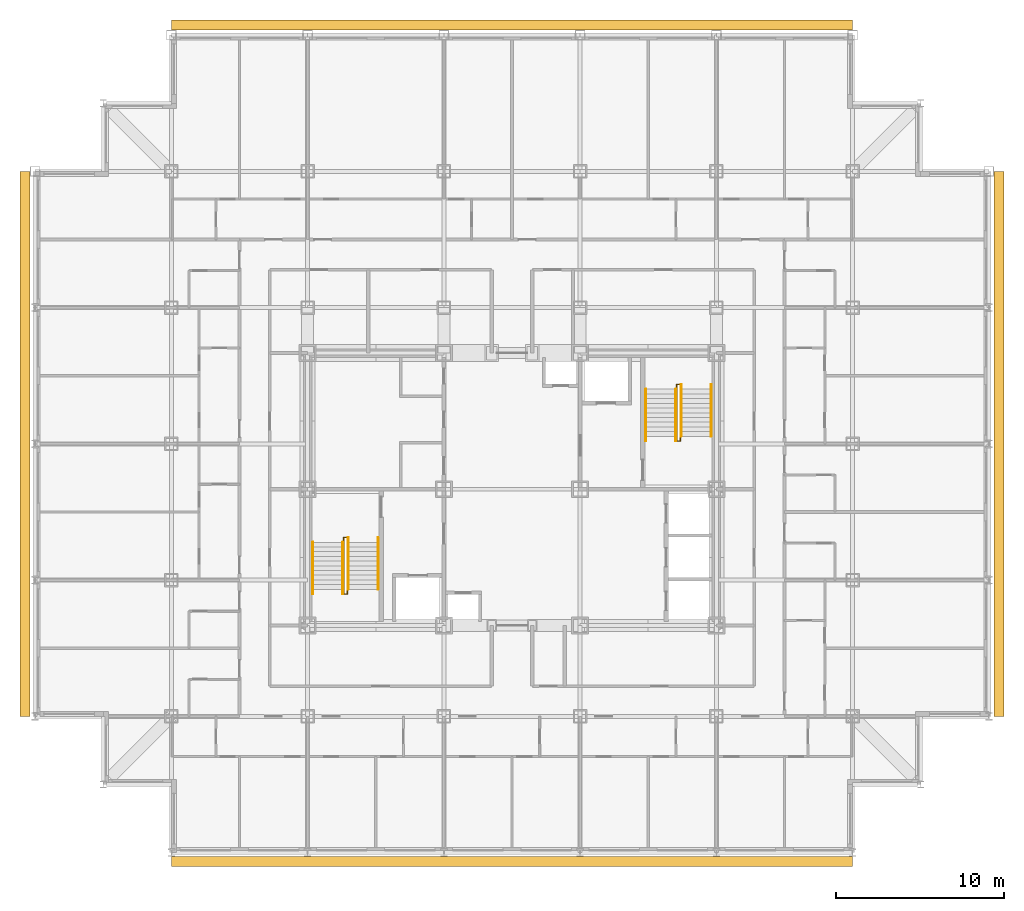
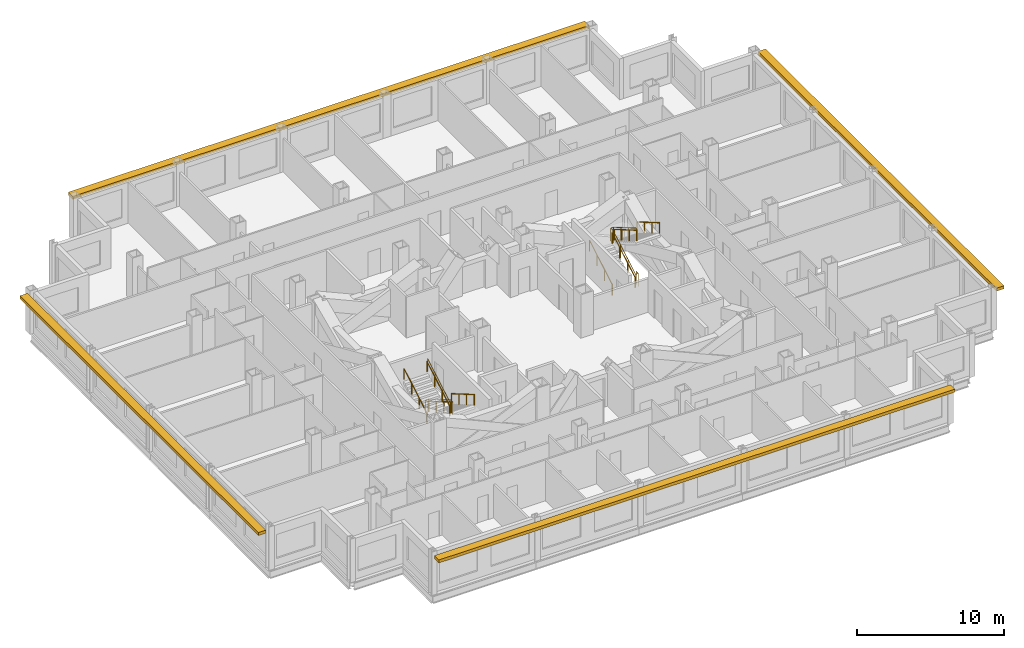
# One storey, part 12 of 12: 10 railings, 4 shading devices.
"""IFC4 building model written with IfcOpenShell, lengths in metres."""

import ifcopenshell
import ifcopenshell.guid

model = None  # the IFC model being written
_history = None  # IfcOwnerHistory: only IFC2X3 demands one
_inside = {}  # id of a spatial element -> (the spatial element, [elements in it])
_under = {}  # id of a project, library or spatial element -> (it, [spatial elements below it])
_declared = {}  # id of a project -> (the project, [libraries it declares])
_typed = {}  # id of a type object -> (the type object, [elements of that type])
_made_of = {}  # id of a material, layer set ... -> (it, [elements and type objects made of it])


def new_model(schema):
    """Start an empty IFC model of exactly this schema.

    Asked for "IFC4X3", IfcOpenShell would pick the latest addendum, in which some entities
    have other attributes; the version numbers below select the first issue.
    IFC2X3 requires an IfcOwnerHistory on every rooted entity: one is made here for all.
    """
    global model, _history
    if schema == "IFC4X3":
        model = ifcopenshell.file(schema_version=(4, 3, 0, 0))
    else:
        model = ifcopenshell.file(schema=schema)
    _inside.clear()
    _under.clear()
    _declared.clear()
    _typed.clear()
    _made_of.clear()
    _history = None
    if model.schema == "IFC2X3":
        org = make("IfcOrganization", Name="unknown")
        user = make(
            "IfcPersonAndOrganization",
            ThePerson=make("IfcPerson", FamilyName="unknown"),
            TheOrganization=org,
        )
        app = make(
            "IfcApplication",
            ApplicationDeveloper=org,
            Version="unknown",
            ApplicationFullName="unknown",
            ApplicationIdentifier="unknown",
        )
        _history = make(
            "IfcOwnerHistory",
            OwningUser=user,
            OwningApplication=app,
            ChangeAction="ADDED",
            CreationDate=0,
        )
    return model


def make(cls, **values):
    """One entity of the class cls with the attributes given. An attribute that is None is left unset."""
    return model.create_entity(
        cls, **{name: value for name, value in values.items() if value is not None}
    )


def rooted(cls, **values):
    """An entity with a GlobalId (a new one), such as an element, a storey or a relation."""
    return make(cls, GlobalId=ifcopenshell.guid.new(), OwnerHistory=_history, **values)


def si_unit(unit_type, name, prefix=None):
    """IfcSIUnit, for example si_unit("LENGTHUNIT", "METRE", prefix="MILLI")."""
    return make("IfcSIUnit", UnitType=unit_type, Prefix=prefix, Name=name)


def assignment(units):
    """IfcUnitAssignment: the units of a project."""
    return None if units is None else make("IfcUnitAssignment", Units=units)


def point(xyz):
    """IfcCartesianPoint."""
    return None if xyz is None else make("IfcCartesianPoint", Coordinates=xyz)


def direction(xyz):
    """IfcDirection."""
    return None if xyz is None else make("IfcDirection", DirectionRatios=xyz)


def frame(location, z_axis=None, x_axis=None):
    """IfcAxis2Placement3D, a coordinate frame: its origin and axes. An axis left out is left unset."""
    return make(
        "IfcAxis2Placement3D",
        Location=point(location),
        Axis=direction(z_axis),
        RefDirection=direction(x_axis),
    )


def frame_2d(location, x_axis=None):
    """IfcAxis2Placement2D, a coordinate frame in the plane: its origin and x axis."""
    return make(
        "IfcAxis2Placement2D", Location=point(location), RefDirection=direction(x_axis)
    )


def origin():
    """The frame at (0, 0, 0) with its axes left unset."""
    return frame((0.0, 0.0, 0.0))


def origin_2d():
    """The frame at (0, 0) in the plane with its x axis left unset."""
    return frame_2d((0.0, 0.0))


def place(relative_to, where):
    """IfcLocalPlacement: puts the frame where relative to a parent placement (None: the world)."""
    return make(
        "IfcLocalPlacement", PlacementRelTo=relative_to, RelativePlacement=where
    )


def context(
    kind, dimensions, precision=None, world=None, true_north=None, identifier=None
):
    """IfcGeometricRepresentationContext, for example the 3D "Model" context."""
    return make(
        "IfcGeometricRepresentationContext",
        ContextIdentifier=identifier,
        ContextType=kind,
        CoordinateSpaceDimension=dimensions,
        Precision=precision,
        WorldCoordinateSystem=world,
        TrueNorth=true_north,
    )


def subcontext(parent, identifier, kind, view, scale=None):
    """IfcGeometricRepresentationSubContext, for example "Body" below "Model"."""
    return make(
        "IfcGeometricRepresentationSubContext",
        ContextIdentifier=identifier,
        ContextType=kind,
        ParentContext=parent,
        TargetScale=scale,
        TargetView=view,
    )


def project(units=None, contexts=None):
    """IfcProject with its units and contexts."""
    return rooted(
        "IfcProject",
        Name="project",
        RepresentationContexts=contexts,
        UnitsInContext=assignment(units),
    )


def spatial(cls, under=None, at=None, **own):
    """A site, building, storey or space (cls), placed at a placement, below another one or the project."""
    s = rooted(cls, ObjectPlacement=at, **own)
    if under is not None:
        _under.setdefault(under.id(), (under, []))[1].append(s)
    return s


def profile(cls, at=None, kind="AREA", **sizes):
    """A parametric profile (cls). Its sizes go by their IFC names, for example OverallWidth=200.0."""
    return make(cls, ProfileType=kind, Position=at, **sizes)


def rectangle(**sizes):
    """IfcRectangleProfileDef."""
    return profile("IfcRectangleProfileDef", **sizes)


def circle(**sizes):
    """IfcCircleProfileDef."""
    return profile("IfcCircleProfileDef", **sizes)


def extrude(swept, where, along, depth):
    """IfcExtrudedAreaSolid: the profile swept, set in the frame where, extruded along a direction by depth."""
    return make(
        "IfcExtrudedAreaSolid",
        SweptArea=swept,
        Position=where,
        ExtrudedDirection=direction(along),
        Depth=depth,
    )


def shape(context_of_items, identifier, shape_type, items):
    """IfcShapeRepresentation: the items that make up one representation, for example the "Body"."""
    return make(
        "IfcShapeRepresentation",
        ContextOfItems=context_of_items,
        RepresentationIdentifier=identifier,
        RepresentationType=shape_type,
        Items=items,
    )


def material(Name=None, Category=None):
    """IfcMaterial."""
    return make("IfcMaterial", Name=Name, Category=Category)


def made_of(thing, what):
    """Note that an element or type object is made of a material, layer set ...; save() writes the relation."""
    if what is not None:
        _made_of.setdefault(what.id(), (what, []))[1].append(thing)
    return thing


def type_object(cls, material=None, **own):
    """A type object (cls), such as IfcWallType, which elements share."""
    return made_of(rooted(cls, **own), material)


def element(
    cls,
    number,
    at=None,
    inside=None,
    cuts=None,
    type_object=None,
    material=None,
    context=None,
    identifier="Body",
    shape_type=None,
    held_by="IfcProductDefinitionShape",
    body=None,
    shapes=None,
    **own,
):
    """One element of the class cls, such as IfcWall. Its Tag is "e" and its number.

    at: its placement. inside: the storey or other place that contains it. cuts: it is an
    opening in that element (IfcRelVoidsElement). A single representation is given by context,
    identifier, shape_type and body (its items); several are given by shapes. held_by: the class
    of the entity that holds the representations. save() writes the other relations.
    """
    e = rooted(cls, Tag="e%d" % number, ObjectPlacement=at, **own)
    if body is not None:
        shapes = [shape(context, identifier, shape_type, body)]
    if shapes is not None:
        e.Representation = make(held_by, Representations=shapes)
    if inside is not None:
        _inside.setdefault(inside.id(), (inside, []))[1].append(e)
    if cuts is not None:
        rooted(
            "IfcRelVoidsElement", RelatingBuildingElement=cuts, RelatedOpeningElement=e
        )
    if type_object is not None:
        _typed.setdefault(type_object.id(), (type_object, []))[1].append(e)
    return made_of(e, material)


def aggregate(whole, parts):
    """IfcRelAggregates: a whole, such as a stair, and the parts it consists of."""
    return rooted("IfcRelAggregates", RelatingObject=whole, RelatedObjects=parts)


def save(model, path):
    """Write the relations noted so far, then the file.

    IfcRelAggregates (storeys below a building ...), IfcRelContainedInSpatialStructure (elements
    in a storey), IfcRelDefinesByType, IfcRelAssociatesMaterial and IfcRelDeclares: one each for
    every whole, place, type object, material and project.
    """
    for whole, parts in _under.values():
        aggregate(whole, parts)
    for where, things in _inside.values():
        rooted(
            "IfcRelContainedInSpatialStructure",
            RelatedElements=things,
            RelatingStructure=where,
        )
    for kind, things in _typed.values():
        rooted("IfcRelDefinesByType", RelatedObjects=things, RelatingType=kind)
    for what, things in _made_of.values():
        rooted("IfcRelAssociatesMaterial", RelatedObjects=things, RelatingMaterial=what)
    for by, libraries in _declared.values():
        rooted("IfcRelDeclares", RelatingContext=by, RelatedDefinitions=libraries)
    model.write(path)


model = new_model("IFC4")

# Units and contexts
model_context = context("Model", 3, precision=1e-05, world=origin(), true_north=direction((0.0, 1.0)))
body_context = subcontext(model_context, "Body", "Model", "MODEL_VIEW")
ifc_project = project(units=[si_unit("LENGTHUNIT", "METRE"), si_unit("AREAUNIT", "SQUARE_METRE"), si_unit("VOLUMEUNIT", "CUBIC_METRE"), si_unit("PLANEANGLEUNIT", "RADIAN"), si_unit("MASSUNIT", "GRAM", prefix="KILO")], contexts=[model_context])

# Site, building, storey
site_placement = place(None, origin())
site = spatial("IfcSite", under=ifc_project, at=site_placement, CompositionType="ELEMENT")
building_placement = place(site_placement, origin())
building = spatial("IfcBuilding", under=site, at=building_placement, Name="Kopane Lantern Tower", CompositionType="ELEMENT")
storey_placement = place(building_placement, frame((0.0, 0.0, 184.800048828125)))
storey = spatial("IfcBuildingStorey", under=building, at=storey_placement, Name="L47", CompositionType="ELEMENT", Elevation=184.800048828125)

# Railings
ifc_material_1 = material(Name="Steel", Category="steel")
railing_type_1 = type_object("IfcRailingType", Name="STAIR GUARD 1100", PredefinedType="GUARDRAIL", material=ifc_material_1)
railing_1_placement = place(storey_placement, frame((18.35009765625, 29.25, 0.0)))
element("IfcRailing", 1, at=railing_1_placement, inside=storey, type_object=railing_type_1, Name="ST1 well guard L47", PredefinedType="GUARDRAIL", context=body_context, shape_type="SweptSolid", body=[
    extrude(circle(Radius=0.02392578125, at=origin_2d()), frame((0.0, 0.0, 1.076171875), z_axis=(0.0, 1.0, 0.0), x_axis=(-1.0, 0.0, 0.0)), (0.0, 0.0, 1.0), 0.280029296875),
    extrude(circle(Radius=0.02392578125, at=origin_2d()), frame((0.0, 0.280029296875, 1.076171875), z_axis=(1.0, 0.0, 0.0), x_axis=(0.0, 1.0, 0.0)), (0.0, 0.0, 1.0), 0.199951171875),
    extrude(circle(Radius=0.02392578125, at=origin_2d()), frame((0.199951171875, 0.280029296875, 1.076171875), z_axis=(0.0, -0.863371556955, 0.504568681787), x_axis=(1.0, 0.0, 0.0)), (0.0, 0.0, 1.0), 3.5673828125),
    extrude(circle(Radius=0.02392578125, at=origin_2d()), frame((0.199951171875, -2.800048828125, 2.8759765625), z_axis=(0.0, -1.0, 0.0), x_axis=(1.0, 0.0, 0.0)), (0.0, 0.0, 1.0), 0.280029296875),
    extrude(circle(Radius=0.02392578125, at=origin_2d()), frame((0.199951171875, -3.080078125, 2.8759765625), z_axis=(-1.0, 0.0, 0.0), x_axis=(0.0, -1.0, 0.0)), (0.0, 0.0, 1.0), 0.199951171875),
    extrude(circle(Radius=0.02392578125, at=origin_2d()), frame((0.0, -3.080078125, 2.8759765625), z_axis=(0.0, 0.863401368682, 0.504517667242), x_axis=(-1.0, 0.0, 0.0)), (0.0, 0.0, 1.0), 3.5673828125),
    extrude(circle(Radius=0.02099609375, at=origin_2d()), origin(), (0.0, 0.0, 1.0), 1.052001953125),
    extrude(circle(Radius=0.02099609375, at=origin_2d()), frame((0.0, 0.280029296875, 0.0)), (0.0, 0.0, 1.0), 1.052001953125),
    extrude(circle(Radius=0.02099609375, at=origin_2d()), frame((0.199951171875, 0.280029296875, 0.0)), (0.0, 0.0, 1.0), 1.052001953125),
    extrude(circle(Radius=0.02099609375, at=origin_2d()), frame((0.199951171875, -0.74658203125, 0.60009765625)), (0.0, 0.0, 1.0), 1.052001953125),
    extrude(circle(Radius=0.02099609375, at=origin_2d()), frame((0.199951171875, -1.7734375, 1.199951171875)), (0.0, 0.0, 1.0), 1.052001953125),
    extrude(circle(Radius=0.02099609375, at=origin_2d()), frame((0.199951171875, -2.800048828125, 1.800048828125)), (0.0, 0.0, 1.0), 1.052001953125),
    extrude(circle(Radius=0.02099609375, at=origin_2d()), frame((0.199951171875, -3.080078125, 1.800048828125)), (0.0, 0.0, 1.0), 1.052001953125),
    extrude(circle(Radius=0.02099609375, at=origin_2d()), frame((0.0, -3.080078125, 1.800048828125)), (0.0, 0.0, 1.0), 1.052001953125),
    extrude(circle(Radius=0.02099609375, at=origin_2d()), frame((0.0, -2.053466796875, 2.39990234375)), (0.0, 0.0, 1.0), 1.052001953125),
    extrude(circle(Radius=0.02099609375, at=origin_2d()), frame((0.0, -1.026611328125, 3.0)), (0.0, 0.0, 1.0), 1.052001953125),
    extrude(circle(Radius=0.02099609375, at=origin_2d()), frame((0.0, 0.0, 3.599853515625)), (0.0, 0.0, 1.0), 1.052001953125),
])
railing_2_placement = place(storey_placement, frame((38.35009765625, 35.550048828125, 0.0)))
element("IfcRailing", 2, at=railing_2_placement, inside=storey, type_object=railing_type_1, Name="ST2 well guard L47", PredefinedType="GUARDRAIL", context=body_context, shape_type="SweptSolid", body=[
    extrude(circle(Radius=0.02392578125, at=origin_2d()), frame((0.0, 0.0, 1.076171875), z_axis=(0.0, -1.0, 0.0), x_axis=(1.0, 0.0, 0.0)), (0.0, 0.0, 1.0), 0.280029296875),
    extrude(circle(Radius=0.02392578125, at=origin_2d()), frame((0.0, -0.280029296875, 1.076171875), z_axis=(-1.0, 0.0, 0.0), x_axis=(0.0, -1.0, 0.0)), (0.0, 0.0, 1.0), 0.2001953125),
    extrude(circle(Radius=0.02392578125, at=origin_2d()), frame((-0.2001953125, -0.280029296875, 1.076171875), z_axis=(0.0, 0.863371556955, 0.504568681787), x_axis=(-1.0, 0.0, 0.0)), (0.0, 0.0, 1.0), 3.5673828125),
    extrude(circle(Radius=0.02392578125, at=origin_2d()), frame((-0.2001953125, 2.800048828125, 2.8759765625), z_axis=(0.0, 1.0, 0.0), x_axis=(-1.0, 0.0, 0.0)), (0.0, 0.0, 1.0), 0.27978515625),
    extrude(circle(Radius=0.02392578125, at=origin_2d()), frame((-0.2001953125, 3.079833984375, 2.8759765625), z_axis=(1.0, 0.0, 0.0), x_axis=(0.0, 1.0, 0.0)), (0.0, 0.0, 1.0), 0.2001953125),
    extrude(circle(Radius=0.02392578125, at=origin_2d()), frame((0.0, 3.079833984375, 2.8759765625), z_axis=(0.0, -0.863383947312, 0.504547479951), x_axis=(1.0, 0.0, 0.0)), (0.0, 0.0, 1.0), 3.567138671875),
    extrude(circle(Radius=0.02099609375, at=origin_2d()), origin(), (0.0, 0.0, 1.0), 1.052001953125),
    extrude(circle(Radius=0.02099609375, at=origin_2d()), frame((0.0, -0.280029296875, 0.0)), (0.0, 0.0, 1.0), 1.052001953125),
    extrude(circle(Radius=0.02099609375, at=origin_2d()), frame((-0.2001953125, -0.280029296875, 0.0)), (0.0, 0.0, 1.0), 1.052001953125),
    extrude(circle(Radius=0.02099609375, at=origin_2d()), frame((-0.2001953125, 0.74658203125, 0.60009765625)), (0.0, 0.0, 1.0), 1.052001953125),
    extrude(circle(Radius=0.02099609375, at=origin_2d()), frame((-0.2001953125, 1.7734375, 1.199951171875)), (0.0, 0.0, 1.0), 1.052001953125),
    extrude(circle(Radius=0.02099609375, at=origin_2d()), frame((-0.2001953125, 2.800048828125, 1.800048828125)), (0.0, 0.0, 1.0), 1.052001953125),
    extrude(circle(Radius=0.02099609375, at=origin_2d()), frame((-0.2001953125, 3.079833984375, 1.800048828125)), (0.0, 0.0, 1.0), 1.052001953125),
    extrude(circle(Radius=0.02099609375, at=origin_2d()), frame((0.0, 3.079833984375, 1.800048828125)), (0.0, 0.0, 1.0), 1.052001953125),
    extrude(circle(Radius=0.02099609375, at=origin_2d()), frame((0.0, 2.05322265625, 2.39990234375)), (0.0, 0.0, 1.0), 1.052001953125),
    extrude(circle(Radius=0.02099609375, at=origin_2d()), frame((0.0, 1.026611328125, 3.0)), (0.0, 0.0, 1.0), 1.052001953125),
    extrude(circle(Radius=0.02099609375, at=origin_2d()), frame((0.0, 0.0, 3.599853515625)), (0.0, 0.0, 1.0), 1.052001953125),
])
ifc_material_2 = material(Name="Steel", Category="steel")
railing_type_2 = type_object("IfcRailingType", Name="STAIR HANDRAIL 900", PredefinedType="HANDRAIL", material=ifc_material_2)
for number, where, name in (
    (3, (20.389892578125, 29.530029296875, 0.0), "ST1 handrail L47 flight 1"),
    (4, (18.610107421875, 29.530029296875, 0.0), "ST1 handrail L47 flight 1"),
):
    element("IfcRailing", number, at=place(storey_placement, frame(where)), inside=storey, type_object=railing_type_2, Name=name, PredefinedType="HANDRAIL", context=body_context, shape_type="SweptSolid", body=[
        extrude(circle(Radius=0.02392578125, at=origin_2d()), frame((0.0, 0.0, 0.8759765625), z_axis=(0.0, -0.863371556955, 0.504568681787), x_axis=(1.0, 0.0, 0.0)), (0.0, 0.0, 1.0), 3.5673828125),
        extrude(circle(Radius=0.02099609375, at=origin_2d()), origin(), (0.0, 0.0, 1.0), 0.851806640625),
        extrude(circle(Radius=0.02099609375, at=origin_2d()), frame((0.0, -1.026611328125, 0.60009765625)), (0.0, 0.0, 1.0), 0.851806640625),
        extrude(circle(Radius=0.02099609375, at=origin_2d()), frame((0.0, -2.053466796875, 1.199951171875)), (0.0, 0.0, 1.0), 0.851806640625),
        extrude(circle(Radius=0.02099609375, at=origin_2d()), frame((0.0, -3.080078125, 1.800048828125)), (0.0, 0.0, 1.0), 0.851806640625),
    ])
for number, where, name in (
    (5, (16.510009765625, 26.169921875, 1.800048828125), "ST1 handrail L47 flight 2"),
    (6, (18.2900390625, 26.169921875, 1.800048828125), "ST1 handrail L47 flight 2"),
):
    element("IfcRailing", number, at=place(storey_placement, frame(where)), inside=storey, type_object=railing_type_2, Name=name, PredefinedType="HANDRAIL", context=body_context, shape_type="SweptSolid", body=[
        extrude(circle(Radius=0.02392578125, at=origin_2d()), frame((0.0, 0.0, 0.8759765625), z_axis=(0.0, 0.863401368682, 0.504517667242), x_axis=(-1.0, 0.0, 0.0)), (0.0, 0.0, 1.0), 3.5673828125),
        extrude(circle(Radius=0.02099609375, at=origin_2d()), origin(), (0.0, 0.0, 1.0), 0.851806640625),
        extrude(circle(Radius=0.02099609375, at=origin_2d()), frame((0.0, 1.026611328125, 0.599853515625)), (0.0, 0.0, 1.0), 0.851806640625),
        extrude(circle(Radius=0.02099609375, at=origin_2d()), frame((0.0, 2.053466796875, 1.199951171875)), (0.0, 0.0, 1.0), 0.851806640625),
        extrude(circle(Radius=0.02099609375, at=origin_2d()), frame((0.0, 3.080078125, 1.7998046875)), (0.0, 0.0, 1.0), 0.851806640625),
    ])
for number, where, name in (
    (7, (36.31005859375, 35.27001953125, 0.0), "ST2 handrail L47 flight 1"),
    (8, (38.090087890625, 35.27001953125, 0.0), "ST2 handrail L47 flight 1"),
):
    element("IfcRailing", number, at=place(storey_placement, frame(where)), inside=storey, type_object=railing_type_2, Name=name, PredefinedType="HANDRAIL", context=body_context, shape_type="SweptSolid", body=[
        extrude(circle(Radius=0.02392578125, at=origin_2d()), frame((0.0, 0.0, 0.8759765625), z_axis=(0.0, 0.863371556955, 0.504568681787), x_axis=(-1.0, 0.0, 0.0)), (0.0, 0.0, 1.0), 3.5673828125),
        extrude(circle(Radius=0.02099609375, at=origin_2d()), origin(), (0.0, 0.0, 1.0), 0.851806640625),
        extrude(circle(Radius=0.02099609375, at=origin_2d()), frame((0.0, 1.026611328125, 0.60009765625)), (0.0, 0.0, 1.0), 0.851806640625),
        extrude(circle(Radius=0.02099609375, at=origin_2d()), frame((0.0, 2.053466796875, 1.199951171875)), (0.0, 0.0, 1.0), 0.851806640625),
        extrude(circle(Radius=0.02099609375, at=origin_2d()), frame((0.0, 3.080078125, 1.800048828125)), (0.0, 0.0, 1.0), 0.851806640625),
    ])
for number, where, name in (
    (9, (40.18994140625, 38.6298828125, 1.800048828125), "ST2 handrail L47 flight 2"),
    (10, (38.409912109375, 38.6298828125, 1.800048828125), "ST2 handrail L47 flight 2"),
):
    element("IfcRailing", number, at=place(storey_placement, frame(where)), inside=storey, type_object=railing_type_2, Name=name, PredefinedType="HANDRAIL", context=body_context, shape_type="SweptSolid", body=[
        extrude(circle(Radius=0.02392578125, at=origin_2d()), frame((0.0, 0.0, 0.8759765625), z_axis=(0.0, -0.863383947312, 0.504547479951), x_axis=(1.0, 0.0, 0.0)), (0.0, 0.0, 1.0), 3.567138671875),
        extrude(circle(Radius=0.02099609375, at=origin_2d()), origin(), (0.0, 0.0, 1.0), 0.851806640625),
        extrude(circle(Radius=0.02099609375, at=origin_2d()), frame((0.0, -1.026611328125, 0.599853515625)), (0.0, 0.0, 1.0), 0.851806640625),
        extrude(circle(Radius=0.02099609375, at=origin_2d()), frame((0.0, -2.05322265625, 1.199951171875)), (0.0, 0.0, 1.0), 0.851806640625),
        extrude(circle(Radius=0.02099609375, at=origin_2d()), frame((0.0, -3.079833984375, 1.7998046875)), (0.0, 0.0, 1.0), 0.851806640625),
    ])

# Shading devices
ifc_material_3 = material(Name="Terracotta rainscreen on light steel framing", Category="masonry")
shading_device_type = type_object("IfcShadingDeviceType", Name="SUNSHADE BAND SB1 600 TERRACOTTA", PredefinedType="USERDEFINED", material=ifc_material_3)
shading_device_1_placement = place(storey_placement, frame((28.35009765625, 10.2626953125, 3.0), z_axis=(0.0, 0.0, 1.0), x_axis=(1.0, 0.0, 0.0)))
element("IfcShadingDevice", 11, at=shading_device_1_placement, inside=storey, type_object=shading_device_type, Name="Sunshade band S L47", ObjectType="SUNSHADE BAND", PredefinedType="USERDEFINED", context=body_context, shape_type="SweptSolid", body=[
    extrude(rectangle(XDim=40.5, YDim=0.60009765625, at=origin_2d()), origin(), (0.0, 0.0, 1.0), 0.25),
])
shading_device_2_placement = place(storey_placement, frame((57.300048828125, 35.10009765625, 3.0), z_axis=(0.0, 0.0, 1.0), x_axis=(0.0, 1.0, 0.0)))
element("IfcShadingDevice", 12, at=shading_device_2_placement, inside=storey, type_object=shading_device_type, Name="Sunshade band E L47", ObjectType="SUNSHADE BAND", PredefinedType="USERDEFINED", context=body_context, shape_type="SweptSolid", body=[
    extrude(rectangle(XDim=32.39990234375, YDim=0.60009765625, at=origin_2d()), origin(), (0.0, 0.0, 1.0), 0.25),
])
shading_device_3_placement = place(storey_placement, frame((28.35009765625, 60.0, 3.0), z_axis=(0.0, 0.0, 1.0), x_axis=(-1.0, 0.0, 0.0)))
element("IfcShadingDevice", 13, at=shading_device_3_placement, inside=storey, type_object=shading_device_type, Name="Sunshade band N L47", ObjectType="SUNSHADE BAND", PredefinedType="USERDEFINED", context=body_context, shape_type="SweptSolid", body=[
    extrude(rectangle(XDim=40.5, YDim=0.60009765625, at=origin_2d()), origin(), (0.0, 0.0, 1.0), 0.25),
])
shading_device_4_placement = place(storey_placement, frame((-0.60009765625, 35.10009765625, 3.0), z_axis=(0.0, 0.0, 1.0), x_axis=(0.0, -1.0, 0.0)))
element("IfcShadingDevice", 14, at=shading_device_4_placement, inside=storey, type_object=shading_device_type, Name="Sunshade band W L47", ObjectType="SUNSHADE BAND", PredefinedType="USERDEFINED", context=body_context, shape_type="SweptSolid", body=[
    extrude(rectangle(XDim=32.39990234375, YDim=0.60009765625, at=origin_2d()), origin(), (0.0, 0.0, 1.0), 0.25),
])

save(model, "model.ifc")
